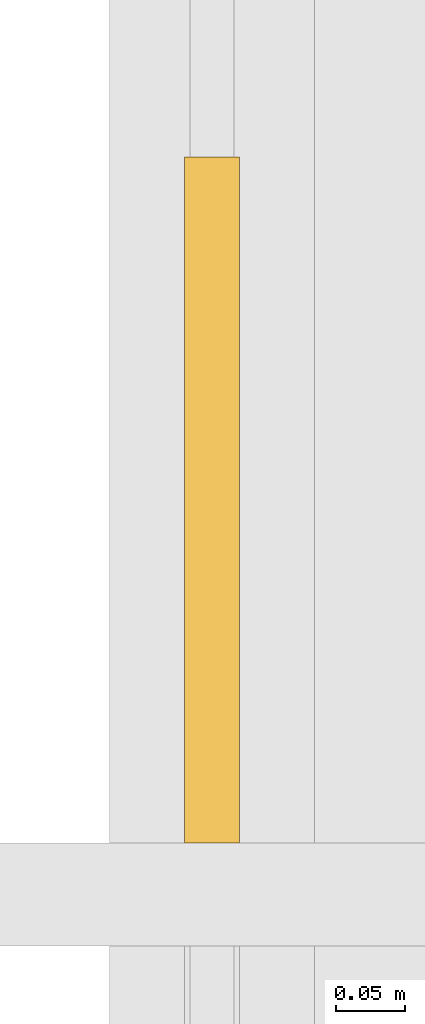
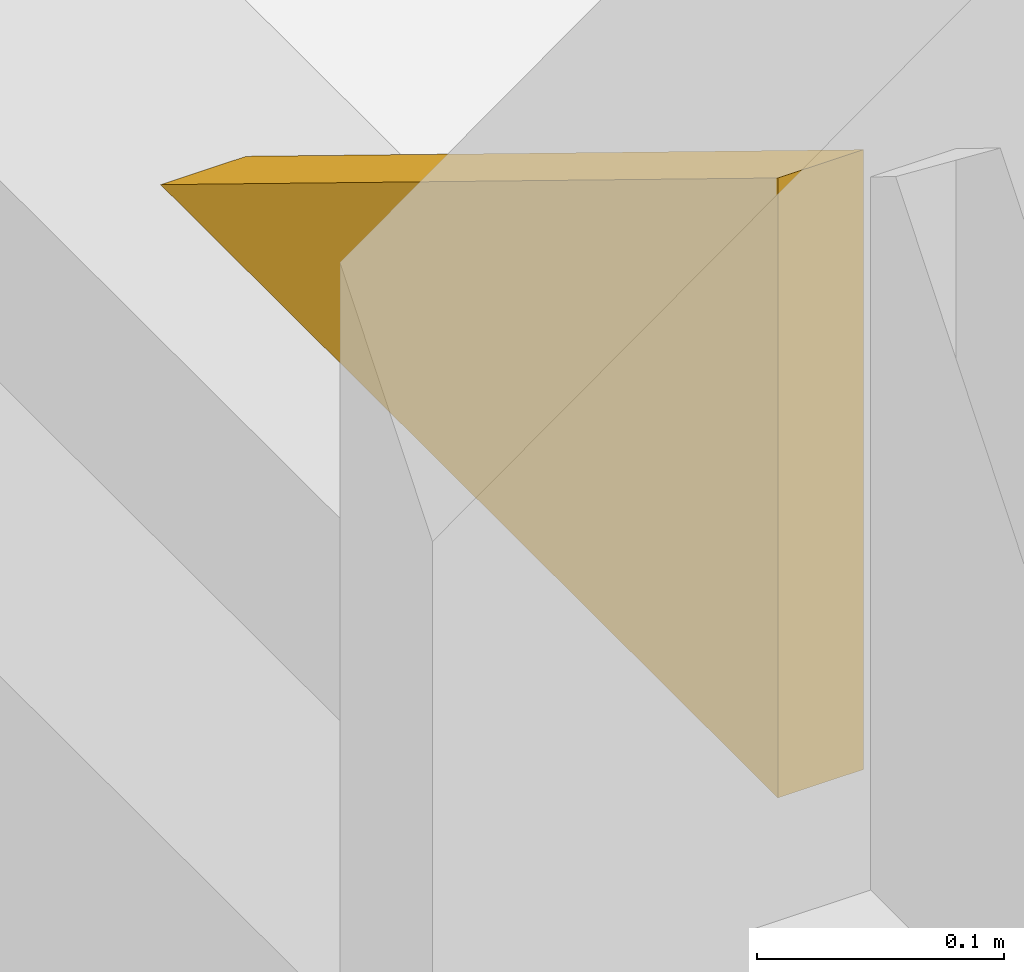
# One storey, part 14 of 14: 1 covering.
"""IFC4 building model written with IfcOpenShell, lengths in metres."""

from ifc_helpers import new_model, si_unit, direction, frame, origin, place, context, subcontext, project, spatial, polyline, outline, extrude, material, layer, layer_set, type_object, element, save


model = new_model("IFC4")

# Units and contexts
model_context = context("Model", 3, precision=1e-05, world=origin(), true_north=direction((0.0, 1.0)))
body_context = subcontext(model_context, "Body", "Model", "MODEL_VIEW")
ifc_project = project(units=[si_unit("LENGTHUNIT", "METRE"), si_unit("AREAUNIT", "SQUARE_METRE"), si_unit("VOLUMEUNIT", "CUBIC_METRE"), si_unit("PLANEANGLEUNIT", "RADIAN"), si_unit("MASSUNIT", "GRAM", prefix="KILO")], contexts=[model_context])

# Site, building, storey
site_placement = place(None, origin())
site = spatial("IfcSite", under=ifc_project, at=site_placement, CompositionType="ELEMENT")
building_placement = place(site_placement, origin())
building = spatial("IfcBuilding", under=site, at=building_placement, Name="Malebo Sky Hospital", CompositionType="ELEMENT")
storey_placement = place(building_placement, frame((0.0, 0.0, 71.0)))
storey = spatial("IfcBuildingStorey", under=building, at=storey_placement, Name="L16", CompositionType="ELEMENT", Elevation=71.0)

# Covering
ifc_material = material(Name="Anodised aluminium, natural silver insulated infill panel", Category="aluminium")
ifc_layer = layer(ifc_material, 0.0400390625)
ifc_layer_set = layer_set([ifc_layer], Name="BRACE INFILL PANEL 40")
covering_type = type_object("IfcCoveringType", Name="BRACE INFILL PANEL 40", PredefinedType="CLADDING", material=ifc_layer_set)
covering_placement = place(storey_placement, frame((34.5, 72.78759765625, 0.10009765625), z_axis=(0.0, 0.0, 1.0), x_axis=(0.0, 1.0, 0.0)))
element("IfcCovering", 1, at=covering_placement, inside=storey, type_object=covering_type, Name="Brace infill panel 12.1", PredefinedType="CLADDING", context=body_context, shape_type="SweptSolid", body=[
    extrude(outline(polyline([(-0.25, 0.0), (0.250244140625, 0.0), (-0.25, 0.306640625), (-0.25, 0.0)])), frame((0.0, 0.02001953125, 0.0), z_axis=(0.0, -1.0, 0.0), x_axis=(1.0, 0.0, 0.0)), (0.0, 0.0, 1.0), 0.0400390625),
])

save(model, "model.ifc")
